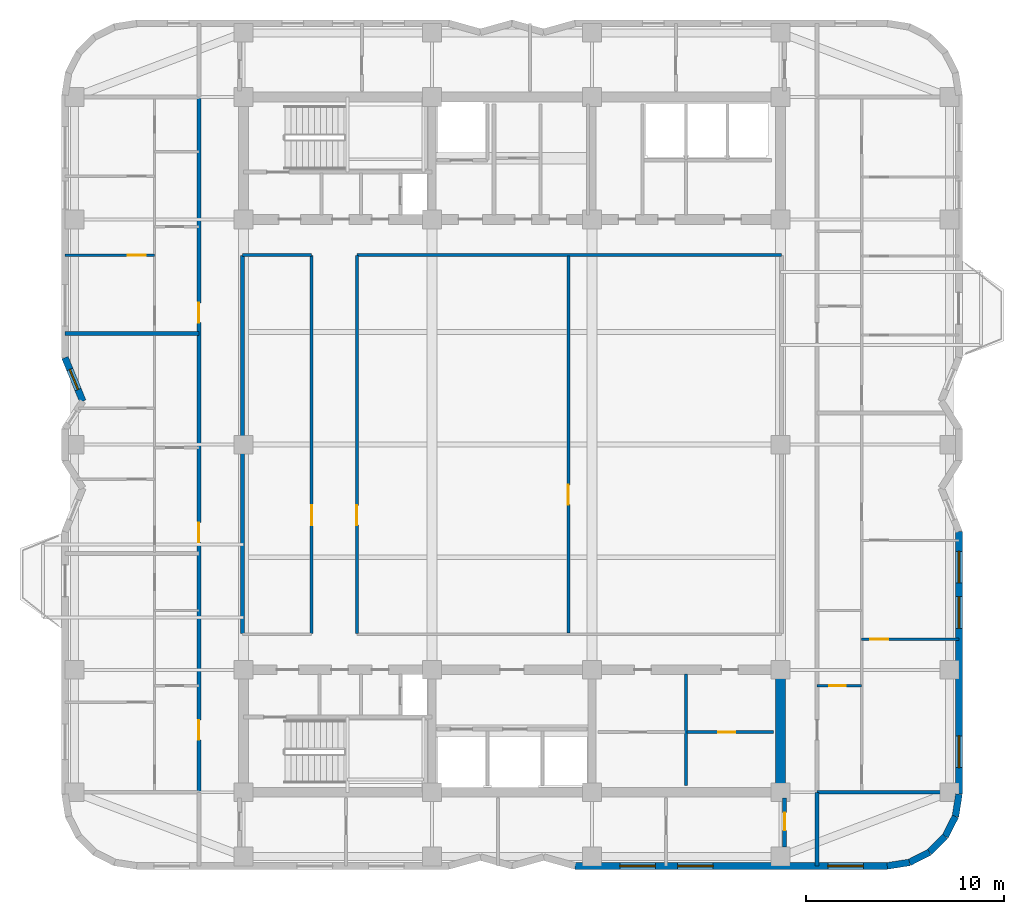
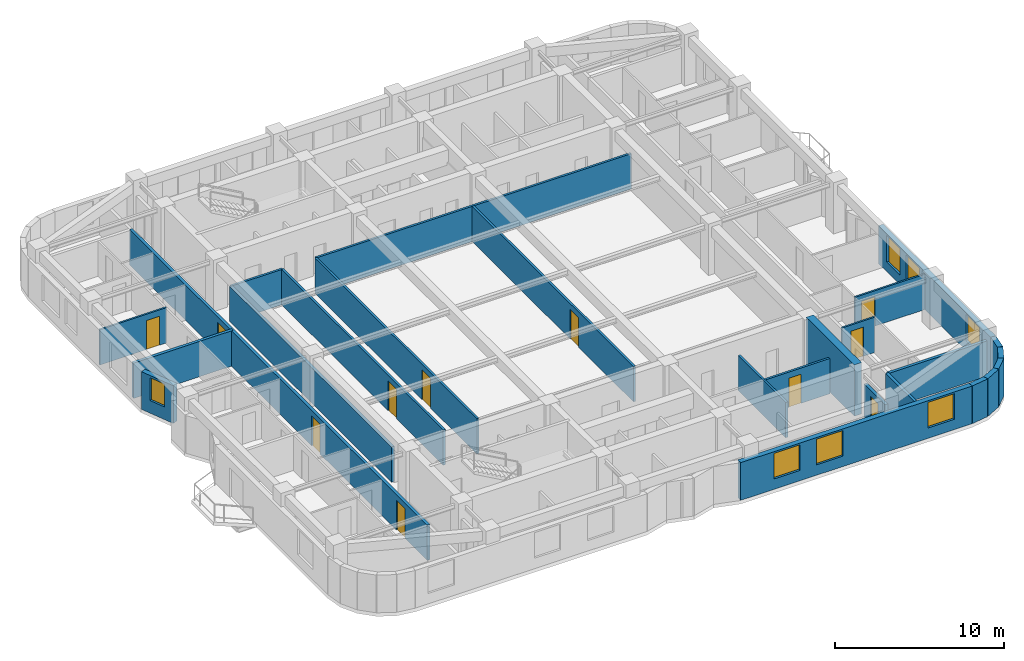
# One storey, part 4 of 9: 25 walls, 11 doors, 7 windows, 18 openings.
"""IFC4 building model written with IfcOpenShell, lengths in metres."""

import ifcopenshell
import ifcopenshell.guid

model = None  # the IFC model being written
_history = None  # IfcOwnerHistory: only IFC2X3 demands one
_inside = {}  # id of a spatial element -> (the spatial element, [elements in it])
_under = {}  # id of a project, library or spatial element -> (it, [spatial elements below it])
_declared = {}  # id of a project -> (the project, [libraries it declares])
_typed = {}  # id of a type object -> (the type object, [elements of that type])
_made_of = {}  # id of a material, layer set ... -> (it, [elements and type objects made of it])


def new_model(schema):
    """Start an empty IFC model of exactly this schema.

    Asked for "IFC4X3", IfcOpenShell would pick the latest addendum, in which some entities
    have other attributes; the version numbers below select the first issue.
    IFC2X3 requires an IfcOwnerHistory on every rooted entity: one is made here for all.
    """
    global model, _history
    if schema == "IFC4X3":
        model = ifcopenshell.file(schema_version=(4, 3, 0, 0))
    else:
        model = ifcopenshell.file(schema=schema)
    _inside.clear()
    _under.clear()
    _declared.clear()
    _typed.clear()
    _made_of.clear()
    _history = None
    if model.schema == "IFC2X3":
        org = make("IfcOrganization", Name="unknown")
        user = make(
            "IfcPersonAndOrganization",
            ThePerson=make("IfcPerson", FamilyName="unknown"),
            TheOrganization=org,
        )
        app = make(
            "IfcApplication",
            ApplicationDeveloper=org,
            Version="unknown",
            ApplicationFullName="unknown",
            ApplicationIdentifier="unknown",
        )
        _history = make(
            "IfcOwnerHistory",
            OwningUser=user,
            OwningApplication=app,
            ChangeAction="ADDED",
            CreationDate=0,
        )
    return model


def make(cls, **values):
    """One entity of the class cls with the attributes given. An attribute that is None is left unset."""
    return model.create_entity(
        cls, **{name: value for name, value in values.items() if value is not None}
    )


def rooted(cls, **values):
    """An entity with a GlobalId (a new one), such as an element, a storey or a relation."""
    return make(cls, GlobalId=ifcopenshell.guid.new(), OwnerHistory=_history, **values)


def si_unit(unit_type, name, prefix=None):
    """IfcSIUnit, for example si_unit("LENGTHUNIT", "METRE", prefix="MILLI")."""
    return make("IfcSIUnit", UnitType=unit_type, Prefix=prefix, Name=name)


def assignment(units):
    """IfcUnitAssignment: the units of a project."""
    return None if units is None else make("IfcUnitAssignment", Units=units)


def point(xyz):
    """IfcCartesianPoint."""
    return None if xyz is None else make("IfcCartesianPoint", Coordinates=xyz)


def direction(xyz):
    """IfcDirection."""
    return None if xyz is None else make("IfcDirection", DirectionRatios=xyz)


def frame(location, z_axis=None, x_axis=None):
    """IfcAxis2Placement3D, a coordinate frame: its origin and axes. An axis left out is left unset."""
    return make(
        "IfcAxis2Placement3D",
        Location=point(location),
        Axis=direction(z_axis),
        RefDirection=direction(x_axis),
    )


def frame_2d(location, x_axis=None):
    """IfcAxis2Placement2D, a coordinate frame in the plane: its origin and x axis."""
    return make(
        "IfcAxis2Placement2D", Location=point(location), RefDirection=direction(x_axis)
    )


def origin():
    """The frame at (0, 0, 0) with its axes left unset."""
    return frame((0.0, 0.0, 0.0))


def place(relative_to, where):
    """IfcLocalPlacement: puts the frame where relative to a parent placement (None: the world)."""
    return make(
        "IfcLocalPlacement", PlacementRelTo=relative_to, RelativePlacement=where
    )


def context(
    kind, dimensions, precision=None, world=None, true_north=None, identifier=None
):
    """IfcGeometricRepresentationContext, for example the 3D "Model" context."""
    return make(
        "IfcGeometricRepresentationContext",
        ContextIdentifier=identifier,
        ContextType=kind,
        CoordinateSpaceDimension=dimensions,
        Precision=precision,
        WorldCoordinateSystem=world,
        TrueNorth=true_north,
    )


def subcontext(parent, identifier, kind, view, scale=None):
    """IfcGeometricRepresentationSubContext, for example "Body" below "Model"."""
    return make(
        "IfcGeometricRepresentationSubContext",
        ContextIdentifier=identifier,
        ContextType=kind,
        ParentContext=parent,
        TargetScale=scale,
        TargetView=view,
    )


def project(units=None, contexts=None):
    """IfcProject with its units and contexts."""
    return rooted(
        "IfcProject",
        Name="project",
        RepresentationContexts=contexts,
        UnitsInContext=assignment(units),
    )


def spatial(cls, under=None, at=None, **own):
    """A site, building, storey or space (cls), placed at a placement, below another one or the project."""
    s = rooted(cls, ObjectPlacement=at, **own)
    if under is not None:
        _under.setdefault(under.id(), (under, []))[1].append(s)
    return s


def profile(cls, at=None, kind="AREA", **sizes):
    """A parametric profile (cls). Its sizes go by their IFC names, for example OverallWidth=200.0."""
    return make(cls, ProfileType=kind, Position=at, **sizes)


def rectangle(**sizes):
    """IfcRectangleProfileDef."""
    return profile("IfcRectangleProfileDef", **sizes)


def extrude(swept, where, along, depth):
    """IfcExtrudedAreaSolid: the profile swept, set in the frame where, extruded along a direction by depth."""
    return make(
        "IfcExtrudedAreaSolid",
        SweptArea=swept,
        Position=where,
        ExtrudedDirection=direction(along),
        Depth=depth,
    )


def shape(context_of_items, identifier, shape_type, items):
    """IfcShapeRepresentation: the items that make up one representation, for example the "Body"."""
    return make(
        "IfcShapeRepresentation",
        ContextOfItems=context_of_items,
        RepresentationIdentifier=identifier,
        RepresentationType=shape_type,
        Items=items,
    )


def material(Name=None, Category=None):
    """IfcMaterial."""
    return make("IfcMaterial", Name=Name, Category=Category)


def layer(
    of_material, thickness, ventilated=None, Name=None, Category=None, Priority=None
):
    """IfcMaterialLayer: one layer of a wall or slab, of a material (None: an air gap)."""
    return make(
        "IfcMaterialLayer",
        Material=of_material,
        LayerThickness=thickness,
        IsVentilated=ventilated,
        Name=Name,
        Category=Category,
        Priority=Priority,
    )


def layer_set(layers, Name=None):
    """IfcMaterialLayerSet."""
    return make("IfcMaterialLayerSet", MaterialLayers=layers, LayerSetName=Name)


def made_of(thing, what):
    """Note that an element or type object is made of a material, layer set ...; save() writes the relation."""
    if what is not None:
        _made_of.setdefault(what.id(), (what, []))[1].append(thing)
    return thing


def type_object(cls, material=None, **own):
    """A type object (cls), such as IfcWallType, which elements share."""
    return made_of(rooted(cls, **own), material)


def element(
    cls,
    number,
    at=None,
    inside=None,
    cuts=None,
    type_object=None,
    material=None,
    context=None,
    identifier="Body",
    shape_type=None,
    held_by="IfcProductDefinitionShape",
    body=None,
    shapes=None,
    **own,
):
    """One element of the class cls, such as IfcWall. Its Tag is "e" and its number.

    at: its placement. inside: the storey or other place that contains it. cuts: it is an
    opening in that element (IfcRelVoidsElement). A single representation is given by context,
    identifier, shape_type and body (its items); several are given by shapes. held_by: the class
    of the entity that holds the representations. save() writes the other relations.
    """
    e = rooted(cls, Tag="e%d" % number, ObjectPlacement=at, **own)
    if body is not None:
        shapes = [shape(context, identifier, shape_type, body)]
    if shapes is not None:
        e.Representation = make(held_by, Representations=shapes)
    if inside is not None:
        _inside.setdefault(inside.id(), (inside, []))[1].append(e)
    if cuts is not None:
        rooted(
            "IfcRelVoidsElement", RelatingBuildingElement=cuts, RelatedOpeningElement=e
        )
    if type_object is not None:
        _typed.setdefault(type_object.id(), (type_object, []))[1].append(e)
    return made_of(e, material)


def fill(opening, filler):
    """IfcRelFillsElement: the door or window that sits in an opening."""
    return rooted(
        "IfcRelFillsElement",
        RelatingOpeningElement=opening,
        RelatedBuildingElement=filler,
    )


def aggregate(whole, parts):
    """IfcRelAggregates: a whole, such as a stair, and the parts it consists of."""
    return rooted("IfcRelAggregates", RelatingObject=whole, RelatedObjects=parts)


def save(model, path):
    """Write the relations noted so far, then the file.

    IfcRelAggregates (storeys below a building ...), IfcRelContainedInSpatialStructure (elements
    in a storey), IfcRelDefinesByType, IfcRelAssociatesMaterial and IfcRelDeclares: one each for
    every whole, place, type object, material and project.
    """
    for whole, parts in _under.values():
        aggregate(whole, parts)
    for where, things in _inside.values():
        rooted(
            "IfcRelContainedInSpatialStructure",
            RelatedElements=things,
            RelatingStructure=where,
        )
    for kind, things in _typed.values():
        rooted("IfcRelDefinesByType", RelatedObjects=things, RelatingType=kind)
    for what, things in _made_of.values():
        rooted("IfcRelAssociatesMaterial", RelatedObjects=things, RelatingMaterial=what)
    for by, libraries in _declared.values():
        rooted("IfcRelDeclares", RelatingContext=by, RelatedDefinitions=libraries)
    model.write(path)


model = new_model("IFC4")

# Units and contexts
model_context = context("Model", 3, precision=1e-05, world=origin(), true_north=direction((0.0, 1.0)))
body_context = subcontext(model_context, "Body", "Model", "MODEL_VIEW")
ifc_project = project(units=[si_unit("LENGTHUNIT", "METRE"), si_unit("AREAUNIT", "SQUARE_METRE"), si_unit("VOLUMEUNIT", "CUBIC_METRE"), si_unit("PLANEANGLEUNIT", "RADIAN"), si_unit("MASSUNIT", "GRAM", prefix="KILO")], contexts=[model_context])

# Site, building, storey
site_placement = place(None, origin())
site = spatial("IfcSite", under=ifc_project, at=site_placement, CompositionType="ELEMENT")
building_placement = place(site_placement, origin())
building = spatial("IfcBuilding", under=site, at=building_placement, Name="Svetorya Sky Lyceum", CompositionType="ELEMENT")
storey_placement = place(building_placement, frame((0.0, 0.0, 162.60009765625)))
storey = spatial("IfcBuildingStorey", under=building, at=storey_placement, Name="L40", CompositionType="ELEMENT", Elevation=162.60009765625)

# Wall
ifc_material_1 = material(Name="Concrete C50/60", Category="concrete")
ifc_layer_1 = layer(ifc_material_1, 0.5)
ifc_layer_set_1 = layer_set([ifc_layer_1], Name="Concrete C50/60")
wall_type_1 = type_object("IfcWallType", Name="WL-CORE-500", PredefinedType="SHEAR", material=ifc_layer_set_1)
wall_1_placement = place(storey_placement, frame((52.800048828125, 10.85009765625, 0.0), z_axis=(0.0, 0.0, 1.0), x_axis=(0.0, 1.0, 0.0)))
element("IfcWall", 1, at=wall_1_placement, inside=storey, type_object=wall_type_1, Name="L40 SC East Core Shear Wall", PredefinedType="SHEAR", context=body_context, shape_type="SweptSolid", body=[
    extrude(rectangle(XDim=5.699951171875, YDim=0.5, at=frame_2d((2.85009765625, 0.0))), origin(), (0.0, 0.0, 1.0), 3.699951171875),
])

# Wall, openings, windows
ifc_material_2 = material(Name="Putilovo limestone rainscreen on autoclaved cellular masonry", Category="masonry")
ifc_layer_2 = layer(ifc_material_2, 0.340087890625)
ifc_layer_set_2 = layer_set([ifc_layer_2], Name="Putilovo limestone rainscreen on autoclaved cellular masonry")
wall_type_2 = type_object("IfcWallType", Name="WL-EXT-340", PredefinedType="SOLIDWALL", material=ifc_layer_set_2)
wall_2_placement = place(storey_placement, frame((42.39990234375, 6.8701171875, 0.0), z_axis=(0.0, 0.0, 1.0), x_axis=(1.0, 0.0, 0.0)))
wall_2 = element("IfcWall", 2, at=wall_2_placement, inside=storey, type_object=wall_type_2, Name="L40 Limestone Exterior Wall 11M", PredefinedType="SOLIDWALL", context=body_context, shape_type="SweptSolid", body=[
    extrude(rectangle(XDim=15.800048828125, YDim=0.340087890625, at=frame_2d((7.89990234375, 0.0))), origin(), (0.0, 0.0, 1.0), 2.719970703125),
])
opening_1_placement = place(wall_2_placement, frame((2.262451171875, 0.0, 0.75)))
opening_1 = element("IfcOpeningElement", 3, at=opening_1_placement, cuts=wall_2, Name="Opening W-R1", PredefinedType="OPENING", context=body_context, shape_type="SweptSolid", body=[
    extrude(rectangle(XDim=1.800048828125, YDim=1.85009765625, at=frame_2d((0.89990234375, 0.925048828125))), frame((0.0, 0.179931640625, 0.0), z_axis=(0.0, -1.0, 0.0), x_axis=(1.0, 0.0, 0.0)), (0.0, 0.0, 1.0), 0.360107421875),
])
opening_2_placement = place(wall_2_placement, frame((5.1875, 0.0, 0.75)))
opening_2 = element("IfcOpeningElement", 4, at=opening_2_placement, cuts=wall_2, Name="Opening W-R1", PredefinedType="OPENING", context=body_context, shape_type="SweptSolid", body=[
    extrude(rectangle(XDim=1.800048828125, YDim=1.85009765625, at=frame_2d((0.89990234375, 0.925048828125))), frame((0.0, 0.179931640625, 0.0), z_axis=(0.0, -1.0, 0.0), x_axis=(1.0, 0.0, 0.0)), (0.0, 0.0, 1.0), 0.360107421875),
])
opening_3_placement = place(wall_2_placement, frame((12.78759765625, 0.0, 0.75)))
opening_3 = element("IfcOpeningElement", 5, at=opening_3_placement, cuts=wall_2, Name="Opening W-R1", PredefinedType="OPENING", context=body_context, shape_type="SweptSolid", body=[
    extrude(rectangle(XDim=1.800048828125, YDim=1.85009765625, at=frame_2d((0.89990234375, 0.925048828125))), frame((0.0, 0.179931640625, 0.0), z_axis=(0.0, -1.0, 0.0), x_axis=(1.0, 0.0, 0.0)), (0.0, 0.0, 1.0), 0.360107421875),
])
ifc_material_3 = material(Name="Thermally broken aluminium frame with triple low-E glazing", Category="aluminium")
window_type_1 = type_object("IfcWindowType", Name="WN-RES-180", PartitioningType="DOUBLE_PANEL_VERTICAL", PredefinedType="WINDOW", material=ifc_material_3)
window_1_placement = place(opening_1_placement, origin())
window_1 = element("IfcWindow", 6, at=window_1_placement, inside=storey, type_object=window_type_1, Name="L40 Facade Window W-R1.11M.1", OverallHeight=1.85009765625, OverallWidth=1.800048828125, PartitioningType="SINGLE_PANEL", PredefinedType="WINDOW", context=body_context, shape_type="SweptSolid", body=[
    extrude(rectangle(XDim=1.800048828125, YDim=1.85009765625, at=frame_2d((0.89990234375, 0.925048828125))), frame((0.0, 0.030029296875, 0.0), z_axis=(0.0, -1.0, 0.0), x_axis=(1.0, 0.0, 0.0)), (0.0, 0.0, 1.0), 0.06005859375),
])
fill(opening_1, window_1)
window_2_placement = place(opening_2_placement, origin())
window_2 = element("IfcWindow", 7, at=window_2_placement, inside=storey, type_object=window_type_1, Name="L40 Facade Window W-R1.11M.2", OverallHeight=1.85009765625, OverallWidth=1.800048828125, PartitioningType="SINGLE_PANEL", PredefinedType="WINDOW", context=body_context, shape_type="SweptSolid", body=[
    extrude(rectangle(XDim=1.800048828125, YDim=1.85009765625, at=frame_2d((0.89990234375, 0.925048828125))), frame((0.0, 0.030029296875, 0.0), z_axis=(0.0, -1.0, 0.0), x_axis=(1.0, 0.0, 0.0)), (0.0, 0.0, 1.0), 0.06005859375),
])
fill(opening_2, window_2)
window_3_placement = place(opening_3_placement, origin())
window_3 = element("IfcWindow", 8, at=window_3_placement, inside=storey, type_object=window_type_1, Name="L40 Facade Window W-R1.11M.3", OverallHeight=1.85009765625, OverallWidth=1.800048828125, PartitioningType="SINGLE_PANEL", PredefinedType="WINDOW", context=body_context, shape_type="SweptSolid", body=[
    extrude(rectangle(XDim=1.800048828125, YDim=1.85009765625, at=frame_2d((0.89990234375, 0.925048828125))), frame((0.0, 0.030029296875, 0.0), z_axis=(0.0, -1.0, 0.0), x_axis=(1.0, 0.0, 0.0)), (0.0, 0.0, 1.0), 0.06005859375),
])
fill(opening_3, window_3)

# Walls
for number, where, z_axis, x_axis, name in (
    (9, (58.199951171875, 6.8701171875, 0.0), (0.0, 0.0, 1.0), (0.987714116584, 0.156271634985, 0.0), "L40 Limestone Exterior Wall 12M"),
    (10, (59.32177734375, 7.047607421875, 0.0), (0.0, 0.0, 1.0), (0.891005044957, 0.453993402883, 0.0), "L40 Limestone Exterior Wall 13M"),
):
    element("IfcWall", number, at=place(storey_placement, frame(where, z_axis=z_axis, x_axis=x_axis)), inside=storey, type_object=wall_type_2, Name=name, PredefinedType="SOLIDWALL", context=body_context, shape_type="SweptSolid", body=[
        extrude(rectangle(XDim=1.1357421875, YDim=0.340087890625, at=frame_2d((0.56787109375, 0.0))), origin(), (0.0, 0.0, 1.0), 2.719970703125),
    ])
wall_3_placement = place(storey_placement, frame((60.333740234375, 7.563232421875, 0.0), z_axis=(0.0, 0.0, 1.0), x_axis=(0.707106781187, 0.707106781187, 0.0)))
element("IfcWall", 11, at=wall_3_placement, inside=storey, type_object=wall_type_2, Name="L40 Limestone Exterior Wall 14M", PredefinedType="SOLIDWALL", context=body_context, shape_type="SweptSolid", body=[
    extrude(rectangle(XDim=1.135498046875, YDim=0.340087890625, at=frame_2d((0.56787109375, 0.0))), origin(), (0.0, 0.0, 1.0), 2.719970703125),
])
wall_4_placement = place(storey_placement, frame((61.13671875, 8.3662109375, 0.0), z_axis=(0.0, 0.0, 1.0), x_axis=(0.45390646422, 0.891049337433, 0.0)))
element("IfcWall", 12, at=wall_4_placement, inside=storey, type_object=wall_type_2, Name="L40 Limestone Exterior Wall 15M", PredefinedType="SOLIDWALL", context=body_context, shape_type="SweptSolid", body=[
    extrude(rectangle(XDim=1.135986328125, YDim=0.340087890625, at=frame_2d((0.56787109375, 0.0))), origin(), (0.0, 0.0, 1.0), 2.719970703125),
])
wall_5_placement = place(storey_placement, frame((61.65234375, 9.37841796875, 0.0), z_axis=(0.0, 0.0, 1.0), x_axis=(0.156514556949, 0.987675651954, 0.0)))
element("IfcWall", 13, at=wall_5_placement, inside=storey, type_object=wall_type_2, Name="L40 Limestone Exterior Wall 16M", PredefinedType="SOLIDWALL", context=body_context, shape_type="SweptSolid", body=[
    extrude(rectangle(XDim=1.135498046875, YDim=0.340087890625, at=frame_2d((0.56787109375, 0.0))), origin(), (0.0, 0.0, 1.0), 2.719970703125),
])

# Wall, openings, windows
wall_6_placement = place(storey_placement, frame((61.830078125, 10.5, 0.0), z_axis=(0.0, 0.0, 1.0), x_axis=(0.0, 1.0, 0.0)))
wall_6 = element("IfcWall", 14, at=wall_6_placement, inside=storey, type_object=wall_type_2, Name="L40 Limestone Exterior Wall 17M", PredefinedType="SOLIDWALL", context=body_context, shape_type="SweptSolid", body=[
    extrude(rectangle(XDim=13.300048828125, YDim=0.340087890625, at=frame_2d((6.64990234375, 0.0))), origin(), (0.0, 0.0, 1.0), 2.719970703125),
])
opening_4_placement = place(wall_6_placement, frame((1.35009765625, 0.0, 0.699951171875)))
opening_4 = element("IfcOpeningElement", 15, at=opening_4_placement, cuts=wall_6, Name="Opening W-R4", PredefinedType="OPENING", context=body_context, shape_type="SweptSolid", body=[
    extrude(rectangle(XDim=1.60009765625, YDim=1.89990234375, at=frame_2d((0.800048828125, 0.949951171875))), frame((0.0, 0.179931640625, 0.0), z_axis=(0.0, -1.0, 0.0), x_axis=(1.0, 0.0, 0.0)), (0.0, 0.0, 1.0), 0.360107421875),
])
opening_5_placement = place(wall_6_placement, frame((8.39990234375, 0.0, 0.699951171875)))
opening_5 = element("IfcOpeningElement", 16, at=opening_5_placement, cuts=wall_6, Name="Opening W-R4", PredefinedType="OPENING", context=body_context, shape_type="SweptSolid", body=[
    extrude(rectangle(XDim=1.60009765625, YDim=1.89990234375, at=frame_2d((0.800048828125, 0.949951171875))), frame((0.0, 0.179931640625, 0.0), z_axis=(0.0, -1.0, 0.0), x_axis=(1.0, 0.0, 0.0)), (0.0, 0.0, 1.0), 0.360107421875),
])
opening_6_placement = place(wall_6_placement, frame((10.699951171875, 0.0, 0.699951171875)))
opening_6 = element("IfcOpeningElement", 17, at=opening_6_placement, cuts=wall_6, Name="Opening W-R4", PredefinedType="OPENING", context=body_context, shape_type="SweptSolid", body=[
    extrude(rectangle(XDim=1.60009765625, YDim=1.89990234375, at=frame_2d((0.800048828125, 0.949951171875))), frame((0.0, 0.179931640625, 0.0), z_axis=(0.0, -1.0, 0.0), x_axis=(1.0, 0.0, 0.0)), (0.0, 0.0, 1.0), 0.360107421875),
])
window_type_2 = type_object("IfcWindowType", Name="WN-RES-160", PartitioningType="DOUBLE_PANEL_VERTICAL", PredefinedType="WINDOW", material=ifc_material_3)
window_4_placement = place(opening_4_placement, origin())
window_4 = element("IfcWindow", 18, at=window_4_placement, inside=storey, type_object=window_type_2, Name="L40 Facade Window W-R4.17M.1", OverallHeight=1.89990234375, OverallWidth=1.60009765625, PartitioningType="SINGLE_PANEL", PredefinedType="WINDOW", context=body_context, shape_type="SweptSolid", body=[
    extrude(rectangle(XDim=1.60009765625, YDim=1.89990234375, at=frame_2d((0.800048828125, 0.949951171875))), frame((0.0, 0.030029296875, 0.0), z_axis=(0.0, -1.0, 0.0), x_axis=(1.0, 0.0, 0.0)), (0.0, 0.0, 1.0), 0.06005859375),
])
fill(opening_4, window_4)
window_5_placement = place(opening_5_placement, origin())
window_5 = element("IfcWindow", 19, at=window_5_placement, inside=storey, type_object=window_type_2, Name="L40 Facade Window W-R4.17M.2", OverallHeight=1.89990234375, OverallWidth=1.60009765625, PartitioningType="SINGLE_PANEL", PredefinedType="WINDOW", context=body_context, shape_type="SweptSolid", body=[
    extrude(rectangle(XDim=1.60009765625, YDim=1.89990234375, at=frame_2d((0.800048828125, 0.949951171875))), frame((0.0, 0.030029296875, 0.0), z_axis=(0.0, -1.0, 0.0), x_axis=(1.0, 0.0, 0.0)), (0.0, 0.0, 1.0), 0.06005859375),
])
fill(opening_5, window_5)
window_6_placement = place(opening_6_placement, origin())
window_6 = element("IfcWindow", 20, at=window_6_placement, inside=storey, type_object=window_type_2, Name="L40 Facade Window W-R4.17M.3", OverallHeight=1.89990234375, OverallWidth=1.60009765625, PartitioningType="SINGLE_PANEL", PredefinedType="WINDOW", context=body_context, shape_type="SweptSolid", body=[
    extrude(rectangle(XDim=1.60009765625, YDim=1.89990234375, at=frame_2d((0.800048828125, 0.949951171875))), frame((0.0, 0.030029296875, 0.0), z_axis=(0.0, -1.0, 0.0), x_axis=(1.0, 0.0, 0.0)), (0.0, 0.0, 1.0), 0.06005859375),
])
fill(opening_6, window_6)

# Wall, opening, window
wall_7_placement = place(storey_placement, frame((16.570068359375, 32.60009765625, 0.0), z_axis=(0.0, 0.0, 1.0), x_axis=(0.378568858991, -0.925573130013, 0.0)))
wall_7 = element("IfcWall", 21, at=wall_7_placement, inside=storey, type_object=wall_type_2, Name="L40 Limestone Exterior Wall 41M", PredefinedType="SOLIDWALL", context=body_context, shape_type="SweptSolid", body=[
    extrude(rectangle(XDim=2.377197265625, YDim=0.340087890625, at=frame_2d((1.1884765625, 0.0))), origin(), (0.0, 0.0, 1.0), 2.719970703125),
])
opening_7_placement = place(wall_7_placement, frame((0.638427734375, 0.0, 0.909912109375)))
opening_7 = element("IfcOpeningElement", 22, at=opening_7_placement, cuts=wall_7, Name="Opening W-R3", PredefinedType="OPENING", context=body_context, shape_type="SweptSolid", body=[
    extrude(rectangle(XDim=1.10009765625, YDim=1.64990234375, at=frame_2d((0.550048828125, 0.824951171875))), frame((0.0, 0.179931640625, 0.0), z_axis=(0.0, -1.0, 0.0), x_axis=(1.0, 0.0, 0.0)), (0.0, 0.0, 1.0), 0.360107421875),
])
window_type_3 = type_object("IfcWindowType", Name="WN-RES-110", PartitioningType="SINGLE_PANEL", PredefinedType="WINDOW", material=ifc_material_3)
window_7_placement = place(opening_7_placement, origin())
window_7 = element("IfcWindow", 23, at=window_7_placement, inside=storey, type_object=window_type_3, Name="L40 Facade Window W-R3.41M.1", OverallHeight=1.64990234375, OverallWidth=1.10009765625, PartitioningType="SINGLE_PANEL", PredefinedType="WINDOW", context=body_context, shape_type="SweptSolid", body=[
    extrude(rectangle(XDim=1.10009765625, YDim=1.64990234375, at=frame_2d((0.550048828125, 0.824951171875))), frame((0.0, 0.030029296875, 0.0), z_axis=(0.0, -1.0, 0.0), x_axis=(1.0, 0.0, 0.0)), (0.0, 0.0, 1.0), 0.06005859375),
])
fill(opening_7, window_7)

# Wall, opening, door
ifc_material_4 = material(Name="Twin-stud galvanized framing with double fireboard", Category="gypsum")
ifc_layer_3 = layer(ifc_material_4, 0.1201171875)
ifc_layer_set_3 = layer_set([ifc_layer_3], Name="Twin-stud galvanized framing with double fireboard")
wall_type_3 = type_object("IfcWallType", Name="WL-PART-120", PredefinedType="PARTITIONING", material=ifc_layer_set_3)
wall_8_placement = place(storey_placement, frame((16.570068359375, 37.781982421875, 0.0), z_axis=(0.0, 0.0, 1.0), x_axis=(1.0, 0.0, 0.0)))
wall_8 = element("IfcWall", 24, at=wall_8_placement, inside=storey, type_object=wall_type_3, Name="L40 Interior Partition W3-WL1", PredefinedType="PARTITIONING", context=body_context, shape_type="SweptSolid", body=[
    extrude(rectangle(XDim=4.530029296875, YDim=0.1201171875, at=frame_2d((2.26513671875, 0.0))), origin(), (0.0, 0.0, 1.0), 2.5498046875),
])
opening_8_placement = place(wall_8_placement, frame((3.179931640625, 0.0, 0.0)))
opening_8 = element("IfcOpeningElement", 25, at=opening_8_placement, cuts=wall_8, Name="Opening D-RM1", PredefinedType="OPENING", context=body_context, shape_type="SweptSolid", body=[
    extrude(rectangle(XDim=0.89990234375, YDim=2.10009765625, at=frame_2d((0.449951171875, 1.050048828125))), frame((0.0, 0.070068359375, 0.0), z_axis=(0.0, -1.0, 0.0), x_axis=(1.0, 0.0, 0.0)), (0.0, 0.0, 1.0), 0.14013671875),
])
ifc_material_5 = material(Name="Lacquered birch veneer internal door")
door_type_1 = type_object("IfcDoorType", Name="DR-INT-900", OperationType="SINGLE_SWING_LEFT", PredefinedType="DOOR", material=ifc_material_5)
door_1_placement = place(opening_8_placement, origin())
door_1 = element("IfcDoor", 26, at=door_1_placement, inside=storey, type_object=door_type_1, Name="Apartment W3 Master Bedroom Door", OperationType="SINGLE_SWING_LEFT", OverallHeight=2.10009765625, OverallWidth=0.89990234375, PredefinedType="DOOR", context=body_context, shape_type="SweptSolid", body=[
    extrude(rectangle(XDim=0.89990234375, YDim=2.10009765625, at=frame_2d((0.449951171875, 1.050048828125))), frame((0.0, 0.02490234375, 0.0), z_axis=(0.0, -1.0, 0.0), x_axis=(1.0, 0.0, 0.0)), (0.0, 0.0, 1.0), 0.050048828125),
])
fill(opening_8, door_1)

wall_9_placement = place(storey_placement, frame((54.64990234375, 16.0, 0.0), z_axis=(0.0, 0.0, 1.0), x_axis=(1.0, 0.0, 0.0)))
wall_9 = element("IfcWall", 27, at=wall_9_placement, inside=storey, type_object=wall_type_3, Name="L40 Interior Partition E1-WH1", PredefinedType="PARTITIONING", context=body_context, shape_type="SweptSolid", body=[
    extrude(rectangle(XDim=2.25, YDim=0.1201171875, at=frame_2d((1.125, 0.0))), origin(), (0.0, 0.0, 1.0), 2.5498046875),
])
opening_9_placement = place(wall_9_placement, frame((0.60009765625, 0.0, 0.0)))
opening_9 = element("IfcOpeningElement", 28, at=opening_9_placement, cuts=wall_9, Name="Opening D-BT1", PredefinedType="OPENING", context=body_context, shape_type="SweptSolid", body=[
    extrude(rectangle(XDim=0.85009765625, YDim=2.10009765625, at=frame_2d((0.425048828125, 1.050048828125))), frame((0.0, 0.070068359375, 0.0), z_axis=(0.0, -1.0, 0.0), x_axis=(1.0, 0.0, 0.0)), (0.0, 0.0, 1.0), 0.14013671875),
])
ifc_material_6 = material(Name="Moisture-resistant laminate bathroom door")
door_type_2 = type_object("IfcDoorType", Name="DR-WET-850", OperationType="SINGLE_SWING_LEFT", PredefinedType="DOOR", material=ifc_material_6)
door_2_placement = place(opening_9_placement, origin())
door_2 = element("IfcDoor", 29, at=door_2_placement, inside=storey, type_object=door_type_2, Name="Apartment E1 Bathroom Door", OperationType="SINGLE_SWING_RIGHT", OverallHeight=2.10009765625, OverallWidth=0.85009765625, PredefinedType="DOOR", context=body_context, shape_type="SweptSolid", body=[
    extrude(rectangle(XDim=0.85009765625, YDim=2.10009765625, at=frame_2d((0.425048828125, 1.050048828125))), frame((0.0, 0.02490234375, 0.0), z_axis=(0.0, -1.0, 0.0), x_axis=(1.0, 0.0, 0.0)), (0.0, 0.0, 1.0), 0.050048828125),
])
fill(opening_9, door_2)

wall_10_placement = place(storey_placement, frame((56.89990234375, 18.35009765625, 0.0), z_axis=(0.0, 0.0, 1.0), x_axis=(1.0, 0.0, 0.0)))
wall_10 = element("IfcWall", 30, at=wall_10_placement, inside=storey, type_object=wall_type_3, Name="L40 Interior Partition E1-WL1", PredefinedType="PARTITIONING", context=body_context, shape_type="SweptSolid", body=[
    extrude(rectangle(XDim=4.93017578125, YDim=0.1201171875, at=frame_2d((2.465087890625, 0.0))), origin(), (0.0, 0.0, 1.0), 2.5498046875),
])
opening_10_placement = place(wall_10_placement, frame((0.449951171875, 0.0, 0.0)))
opening_10 = element("IfcOpeningElement", 31, at=opening_10_placement, cuts=wall_10, Name="Opening D-RM1", PredefinedType="OPENING", context=body_context, shape_type="SweptSolid", body=[
    extrude(rectangle(XDim=0.89990234375, YDim=2.10009765625, at=frame_2d((0.449951171875, 1.050048828125))), frame((0.0, 0.070068359375, 0.0), z_axis=(0.0, -1.0, 0.0), x_axis=(1.0, 0.0, 0.0)), (0.0, 0.0, 1.0), 0.14013671875),
])
door_3_placement = place(opening_10_placement, origin())
door_3 = element("IfcDoor", 32, at=door_3_placement, inside=storey, type_object=door_type_1, Name="Apartment E1 Master Bedroom Door", OperationType="SINGLE_SWING_RIGHT", OverallHeight=2.10009765625, OverallWidth=0.89990234375, PredefinedType="DOOR", context=body_context, shape_type="SweptSolid", body=[
    extrude(rectangle(XDim=0.89990234375, YDim=2.10009765625, at=frame_2d((0.449951171875, 1.050048828125))), frame((0.0, 0.02490234375, 0.0), z_axis=(0.0, -1.0, 0.0), x_axis=(1.0, 0.0, 0.0)), (0.0, 0.0, 1.0), 0.050048828125),
])
fill(opening_10, door_3)

# Wall
ifc_material_7 = material(Name="Autoclaved cellular masonry blockwork with acoustic render", Category="masonry")
ifc_layer_4 = layer(ifc_material_7, 0.14990234375)
ifc_layer_set_4 = layer_set([ifc_layer_4], Name="Autoclaved cellular masonry blockwork with acoustic render")
wall_type_4 = type_object("IfcWallType", Name="WL-PART-150", PredefinedType="PARTITIONING", material=ifc_layer_set_4)
wall_11_placement = place(storey_placement, frame((48.0, 10.949951171875, 0.0), z_axis=(0.0, 0.0, 1.0), x_axis=(0.0, 1.0, 0.0)))
element("IfcWall", 33, at=wall_11_placement, inside=storey, type_object=wall_type_4, Name="L40 Interior Partition SC-LV7-V", PredefinedType="PARTITIONING", context=body_context, shape_type="SweptSolid", body=[
    extrude(rectangle(XDim=5.630126953125, YDim=0.14990234375, at=frame_2d((2.81494140625, 0.0))), origin(), (0.0, 0.0, 1.0), 2.5498046875),
])

# Wall, opening, door
wall_12_placement = place(storey_placement, frame((48.050048828125, 13.64990234375, 0.0), z_axis=(0.0, 0.0, 1.0), x_axis=(1.0, 0.0, 0.0)))
wall_12 = element("IfcWall", 34, at=wall_12_placement, inside=storey, type_object=wall_type_4, Name="L40 Interior Partition SC-LV7-HE", PredefinedType="PARTITIONING", context=body_context, shape_type="SweptSolid", body=[
    extrude(rectangle(XDim=4.39990234375, YDim=0.14990234375, at=frame_2d((2.199951171875, 0.0))), origin(), (0.0, 0.0, 1.0), 2.5498046875),
])
opening_11_placement = place(wall_12_placement, frame((1.60009765625, 0.0, 0.0)))
opening_11 = element("IfcOpeningElement", 35, at=opening_11_placement, cuts=wall_12, Name="Opening D-CWC1", PredefinedType="OPENING", context=body_context, shape_type="SweptSolid", body=[
    extrude(rectangle(XDim=0.85009765625, YDim=2.10009765625, at=frame_2d((0.425048828125, 1.050048828125))), frame((0.0, 0.0849609375, 0.0), z_axis=(0.0, -1.0, 0.0), x_axis=(1.0, 0.0, 0.0)), (0.0, 0.0, 1.0), 0.169921875),
])
ifc_material_8 = material(Name="Fire-rated galvanized steel core service closet door", Category="steel")
door_type_3 = type_object("IfcDoorType", Name="DR-CWET-850", OperationType="SINGLE_SWING_LEFT", PredefinedType="DOOR", material=ifc_material_8)
door_4_placement = place(opening_11_placement, origin())
door_4 = element("IfcDoor", 36, at=door_4_placement, inside=storey, type_object=door_type_3, Name="L40 South Server Closet Door", OperationType="SINGLE_SWING_RIGHT", OverallHeight=2.10009765625, OverallWidth=0.85009765625, PredefinedType="DOOR", context=body_context, shape_type="SweptSolid", body=[
    extrude(rectangle(XDim=0.85009765625, YDim=2.10009765625, at=frame_2d((0.425048828125, 1.050048828125))), frame((0.0, 0.02490234375, 0.0), z_axis=(0.0, -1.0, 0.0), x_axis=(1.0, 0.0, 0.0)), (0.0, 0.0, 1.0), 0.050048828125),
])
fill(opening_11, door_4)

# Walls
wall_13_placement = place(storey_placement, frame((25.550048828125, 37.800048828125, 0.0), z_axis=(0.0, 0.0, 1.0), x_axis=(1.0, 0.0, 0.0)))
element("IfcWall", 37, at=wall_13_placement, inside=storey, type_object=wall_type_4, Name="L40 Interior Partition OFF-CN-W", PredefinedType="PARTITIONING", context=body_context, shape_type="SweptSolid", body=[
    extrude(rectangle(XDim=3.5, YDim=0.14990234375, at=frame_2d((1.75, 0.0))), origin(), (0.0, 0.0, 1.0), 2.5498046875),
])
wall_14_placement = place(storey_placement, frame((31.35009765625, 37.800048828125, 0.0), z_axis=(0.0, 0.0, 1.0), x_axis=(1.0, 0.0, 0.0)))
element("IfcWall", 38, at=wall_14_placement, inside=storey, type_object=wall_type_4, Name="L40 Interior Partition OFF-CN-E", PredefinedType="PARTITIONING", context=body_context, shape_type="SweptSolid", body=[
    extrude(rectangle(XDim=21.5, YDim=0.14990234375, at=frame_2d((10.75, 0.0))), origin(), (0.0, 0.0, 1.0), 2.5498046875),
])

# Wall, opening, door
wall_15_placement = place(storey_placement, frame((42.06005859375, 18.659912109375, 0.0), z_axis=(0.0, 0.0, 1.0), x_axis=(0.0, 1.0, 0.0)))
wall_15 = element("IfcWall", 39, at=wall_15_placement, inside=storey, type_object=wall_type_4, Name="L40 Interior Partition OFF-VEMID", PredefinedType="PARTITIONING", context=body_context, shape_type="SweptSolid", body=[
    extrude(rectangle(XDim=19.080078125, YDim=0.14990234375, at=frame_2d((9.5400390625, 0.0))), origin(), (0.0, 0.0, 1.0), 2.5498046875),
])
opening_12_placement = place(wall_15_placement, frame((6.5, 0.0, 0.0)))
opening_12 = element("IfcOpeningElement", 40, at=opening_12_placement, cuts=wall_15, Name="Opening D-RM2", PredefinedType="OPENING", context=body_context, shape_type="SweptSolid", body=[
    extrude(rectangle(XDim=1.0, YDim=2.14990234375, at=frame_2d((0.5, 1.074951171875))), frame((0.0, 0.0849609375, 0.0), z_axis=(0.0, -1.0, 0.0), x_axis=(1.0, 0.0, 0.0)), (0.0, 0.0, 1.0), 0.169921875),
])
ifc_material_9 = material(Name="Solid-core oak acoustic room door")
door_type_4 = type_object("IfcDoorType", Name="DR-INT-1000", OperationType="SINGLE_SWING_LEFT", PredefinedType="DOOR", material=ifc_material_9)
door_5_placement = place(opening_12_placement, origin())
door_5 = element("IfcDoor", 41, at=door_5_placement, inside=storey, type_object=door_type_4, Name="L40 Recreation Door", OperationType="SINGLE_SWING_LEFT", OverallHeight=2.14990234375, OverallWidth=1.0, PredefinedType="DOOR", context=body_context, shape_type="SweptSolid", body=[
    extrude(rectangle(XDim=1.0, YDim=2.14990234375, at=frame_2d((0.5, 1.074951171875))), frame((0.0, 0.02490234375, 0.0), z_axis=(0.0, -1.0, 0.0), x_axis=(1.0, 0.0, 0.0)), (0.0, 0.0, 1.0), 0.050048828125),
])
fill(opening_12, door_5)

wall_16_placement = place(storey_placement, frame((29.050048828125, 18.6298828125, 0.0), z_axis=(0.0, 0.0, 1.0), x_axis=(0.0, 1.0, 0.0)))
wall_16 = element("IfcWall", 42, at=wall_16_placement, inside=storey, type_object=wall_type_4, Name="L40 Interior Partition OFF-VW", PredefinedType="PARTITIONING", context=body_context, shape_type="SweptSolid", body=[
    extrude(rectangle(XDim=19.14013671875, YDim=0.14990234375, at=frame_2d((9.570068359375, 0.0))), origin(), (0.0, 0.0, 1.0), 2.5498046875),
])
opening_13_placement = place(wall_16_placement, frame((5.5, 0.0, 0.0)))
opening_13 = element("IfcOpeningElement", 43, at=opening_13_placement, cuts=wall_16, Name="Opening D-RM2", PredefinedType="OPENING", context=body_context, shape_type="SweptSolid", body=[
    extrude(rectangle(XDim=1.0, YDim=2.14990234375, at=frame_2d((0.5, 1.074951171875))), frame((0.0, 0.0849609375, 0.0), z_axis=(0.0, -1.0, 0.0), x_axis=(1.0, 0.0, 0.0)), (0.0, 0.0, 1.0), 0.169921875),
])
door_6_placement = place(opening_13_placement, origin())
door_6 = element("IfcDoor", 44, at=door_6_placement, inside=storey, type_object=door_type_4, Name="L40 West Office Door", OperationType="SINGLE_SWING_LEFT", OverallHeight=2.14990234375, OverallWidth=1.0, PredefinedType="DOOR", context=body_context, shape_type="SweptSolid", body=[
    extrude(rectangle(XDim=1.0, YDim=2.14990234375, at=frame_2d((0.5, 1.074951171875))), frame((0.0, 0.02490234375, 0.0), z_axis=(0.0, -1.0, 0.0), x_axis=(1.0, 0.0, 0.0)), (0.0, 0.0, 1.0), 0.050048828125),
])
fill(opening_13, door_6)

wall_17_placement = place(storey_placement, frame((31.35009765625, 18.6298828125, 0.0), z_axis=(0.0, 0.0, 1.0), x_axis=(0.0, 1.0, 0.0)))
wall_17 = element("IfcWall", 45, at=wall_17_placement, inside=storey, type_object=wall_type_4, Name="L40 Interior Partition OFF-VE", PredefinedType="PARTITIONING", context=body_context, shape_type="SweptSolid", body=[
    extrude(rectangle(XDim=19.14013671875, YDim=0.14990234375, at=frame_2d((9.570068359375, 0.0))), origin(), (0.0, 0.0, 1.0), 2.5498046875),
])
opening_14_placement = place(wall_17_placement, frame((5.5, 0.0, 0.0)))
opening_14 = element("IfcOpeningElement", 46, at=opening_14_placement, cuts=wall_17, Name="Opening D-RM2", PredefinedType="OPENING", context=body_context, shape_type="SweptSolid", body=[
    extrude(rectangle(XDim=1.0, YDim=2.14990234375, at=frame_2d((0.5, 1.074951171875))), frame((0.0, 0.0849609375, 0.0), z_axis=(0.0, -1.0, 0.0), x_axis=(1.0, 0.0, 0.0)), (0.0, 0.0, 1.0), 0.169921875),
])
door_7_placement = place(opening_14_placement, origin())
door_7 = element("IfcDoor", 47, at=door_7_placement, inside=storey, type_object=door_type_4, Name="L40 Seminar Door", OperationType="SINGLE_SWING_RIGHT", OverallHeight=2.14990234375, OverallWidth=1.0, PredefinedType="DOOR", context=body_context, shape_type="SweptSolid", body=[
    extrude(rectangle(XDim=1.0, YDim=2.14990234375, at=frame_2d((0.5, 1.074951171875))), frame((0.0, 0.02490234375, 0.0), z_axis=(0.0, -1.0, 0.0), x_axis=(1.0, 0.0, 0.0)), (0.0, 0.0, 1.0), 0.050048828125),
])
fill(opening_14, door_7)

# Walls
ifc_material_10 = material(Name="Autoclaved cellular masonry blockwork with gypsum plaster", Category="masonry")
ifc_layer_5 = layer(ifc_material_10, 0.199951171875)
ifc_layer_set_5 = layer_set([ifc_layer_5], Name="Autoclaved cellular masonry blockwork with gypsum plaster")
wall_type_5 = type_object("IfcWallType", Name="WL-PART-200", PredefinedType="PARTITIONING", material=ifc_layer_set_5)
wall_18_placement = place(storey_placement, frame((25.550048828125, 18.6298828125, 0.0), z_axis=(0.0, 0.0, 1.0), x_axis=(0.0, 1.0, 0.0)))
element("IfcWall", 48, at=wall_18_placement, inside=storey, type_object=wall_type_5, Name="L40 Interior Partition W-CEN-SEP", PredefinedType="PARTITIONING", context=body_context, shape_type="SweptSolid", body=[
    extrude(rectangle(XDim=19.14013671875, YDim=0.199951171875, at=frame_2d((9.570068359375, 0.0))), origin(), (0.0, 0.0, 1.0), 2.5498046875),
])
wall_19_placement = place(storey_placement, frame((16.570068359375, 33.83203125, 0.0), z_axis=(0.0, 0.0, 1.0), x_axis=(1.0, 0.0, 0.0)))
element("IfcWall", 49, at=wall_19_placement, inside=storey, type_object=wall_type_5, Name="L40 Interior Partition W-PARTY-2", PredefinedType="PARTITIONING", context=body_context, shape_type="SweptSolid", body=[
    extrude(rectangle(XDim=6.780029296875, YDim=0.199951171875, at=frame_2d((3.39013671875, 0.0))), origin(), (0.0, 0.0, 1.0), 2.5498046875),
])

# Wall, openings, doors
wall_20_placement = place(storey_placement, frame((23.35009765625, 10.60009765625, 0.0), z_axis=(0.0, 0.0, 1.0), x_axis=(0.0, 1.0, 0.0)))
wall_20 = element("IfcWall", 50, at=wall_20_placement, inside=storey, type_object=wall_type_5, Name="L40 Interior Partition W-CORRW", PredefinedType="PARTITIONING", context=body_context, shape_type="SweptSolid", body=[
    extrude(rectangle(XDim=35.199951171875, YDim=0.199951171875, at=frame_2d((17.60009765625, 0.0))), origin(), (0.0, 0.0, 1.0), 2.5498046875),
])
opening_15_placement = place(wall_20_placement, frame((2.64990234375, 0.0, 0.0)))
opening_15 = element("IfcOpeningElement", 51, at=opening_15_placement, cuts=wall_20, Name="Opening D-APT1", PredefinedType="OPENING", context=body_context, shape_type="SweptSolid", body=[
    extrude(rectangle(XDim=1.0, YDim=2.14990234375, at=frame_2d((0.5, 1.074951171875))), frame((0.0, 0.10986328125, 0.0), z_axis=(0.0, -1.0, 0.0), x_axis=(1.0, 0.0, 0.0)), (0.0, 0.0, 1.0), 0.219970703125),
])
opening_16_placement = place(wall_20_placement, frame((12.64990234375, 0.0, 0.0)))
opening_16 = element("IfcOpeningElement", 52, at=opening_16_placement, cuts=wall_20, Name="Opening D-APT1", PredefinedType="OPENING", context=body_context, shape_type="SweptSolid", body=[
    extrude(rectangle(XDim=1.0, YDim=2.14990234375, at=frame_2d((0.5, 1.074951171875))), frame((0.0, 0.10986328125, 0.0), z_axis=(0.0, -1.0, 0.0), x_axis=(1.0, 0.0, 0.0)), (0.0, 0.0, 1.0), 0.219970703125),
])
opening_17_placement = place(wall_20_placement, frame((23.781982421875, 0.0, 0.0)))
opening_17 = element("IfcOpeningElement", 53, at=opening_17_placement, cuts=wall_20, Name="Opening D-APT1", PredefinedType="OPENING", context=body_context, shape_type="SweptSolid", body=[
    extrude(rectangle(XDim=1.0, YDim=2.14990234375, at=frame_2d((0.5, 1.074951171875))), frame((0.0, 0.10986328125, 0.0), z_axis=(0.0, -1.0, 0.0), x_axis=(1.0, 0.0, 0.0)), (0.0, 0.0, 1.0), 0.219970703125),
])
ifc_material_11 = material(Name="Insulated oak-veneered apartment entrance door")
door_type_5 = type_object("IfcDoorType", Name="DR-APT-1000", OperationType="SINGLE_SWING_LEFT", PredefinedType="DOOR", material=ifc_material_11)
door_8_placement = place(opening_15_placement, origin())
door_8 = element("IfcDoor", 54, at=door_8_placement, inside=storey, type_object=door_type_5, Name="L40 Apartment W1 Entrance Door", OperationType="SINGLE_SWING_LEFT", OverallHeight=2.14990234375, OverallWidth=1.0, PredefinedType="DOOR", context=body_context, shape_type="SweptSolid", body=[
    extrude(rectangle(XDim=1.0, YDim=2.14990234375, at=frame_2d((0.5, 1.074951171875))), frame((0.0, 0.02490234375, 0.0), z_axis=(0.0, -1.0, 0.0), x_axis=(1.0, 0.0, 0.0)), (0.0, 0.0, 1.0), 0.050048828125),
])
fill(opening_15, door_8)
door_9_placement = place(opening_16_placement, origin())
door_9 = element("IfcDoor", 55, at=door_9_placement, inside=storey, type_object=door_type_5, Name="L40 Apartment W2 Entrance Door", OperationType="SINGLE_SWING_RIGHT", OverallHeight=2.14990234375, OverallWidth=1.0, PredefinedType="DOOR", context=body_context, shape_type="SweptSolid", body=[
    extrude(rectangle(XDim=1.0, YDim=2.14990234375, at=frame_2d((0.5, 1.074951171875))), frame((0.0, 0.02490234375, 0.0), z_axis=(0.0, -1.0, 0.0), x_axis=(1.0, 0.0, 0.0)), (0.0, 0.0, 1.0), 0.050048828125),
])
fill(opening_16, door_9)
door_10_placement = place(opening_17_placement, origin())
door_10 = element("IfcDoor", 56, at=door_10_placement, inside=storey, type_object=door_type_5, Name="L40 Apartment W3 Entrance Door", OperationType="SINGLE_SWING_LEFT", OverallHeight=2.14990234375, OverallWidth=1.0, PredefinedType="DOOR", context=body_context, shape_type="SweptSolid", body=[
    extrude(rectangle(XDim=1.0, YDim=2.14990234375, at=frame_2d((0.5, 1.074951171875))), frame((0.0, 0.02490234375, 0.0), z_axis=(0.0, -1.0, 0.0), x_axis=(1.0, 0.0, 0.0)), (0.0, 0.0, 1.0), 0.050048828125),
])
fill(opening_17, door_10)

# Walls
wall_21_placement = place(storey_placement, frame((54.64990234375, 10.60009765625, 0.0), z_axis=(0.0, 0.0, 1.0), x_axis=(1.0, 0.0, 0.0)))
element("IfcWall", 57, at=wall_21_placement, inside=storey, type_object=wall_type_5, Name="L40 Interior Partition E-CAP-S", PredefinedType="PARTITIONING", context=body_context, shape_type="SweptSolid", body=[
    extrude(rectangle(XDim=6.760009765625, YDim=0.199951171875, at=frame_2d((3.3798828125, 0.0))), origin(), (0.0, 0.0, 1.0), 2.5498046875),
])
wall_22_placement = place(storey_placement, frame((54.64990234375, 6.8701171875, 0.0), z_axis=(0.0, 0.0, 1.0), x_axis=(0.0, 1.0, 0.0)))
element("IfcWall", 58, at=wall_22_placement, inside=storey, type_object=wall_type_5, Name="L40 Interior Partition EC-SE-END", PredefinedType="PARTITIONING", context=body_context, shape_type="SweptSolid", body=[
    extrude(rectangle(XDim=3.72998046875, YDim=0.199951171875, at=frame_2d((1.864990234375, 0.0))), origin(), (0.0, 0.0, 1.0), 2.5498046875),
])

# Wall, opening, door
wall_23_placement = place(storey_placement, frame((53.0, 7.820068359375, 0.0), z_axis=(0.0, 0.0, 1.0), x_axis=(0.0, 1.0, 0.0)))
wall_23 = element("IfcWall", 59, at=wall_23_placement, inside=storey, type_object=wall_type_5, Name="L40 Interior Partition S4-EE", PredefinedType="PARTITIONING", context=body_context, shape_type="SweptSolid", body=[
    extrude(rectangle(XDim=2.47998046875, YDim=0.199951171875, at=frame_2d((1.239990234375, 0.0))), origin(), (0.0, 0.0, 1.0), 2.5498046875),
])
opening_18_placement = place(wall_23_placement, frame((0.85009765625, 0.0, 0.0)))
opening_18 = element("IfcOpeningElement", 60, at=opening_18_placement, cuts=wall_23, Name="Opening D-RM1", PredefinedType="OPENING", context=body_context, shape_type="SweptSolid", body=[
    extrude(rectangle(XDim=0.89990234375, YDim=2.10009765625, at=frame_2d((0.449951171875, 1.050048828125))), frame((0.0, 0.10986328125, 0.0), z_axis=(0.0, -1.0, 0.0), x_axis=(1.0, 0.0, 0.0)), (0.0, 0.0, 1.0), 0.219970703125),
])
door_11_placement = place(opening_18_placement, origin())
door_11 = element("IfcDoor", 61, at=door_11_placement, inside=storey, type_object=door_type_1, Name="L40 SE Meeting Door", OperationType="SINGLE_SWING_RIGHT", OverallHeight=2.10009765625, OverallWidth=0.89990234375, PredefinedType="DOOR", context=body_context, shape_type="SweptSolid", body=[
    extrude(rectangle(XDim=0.89990234375, YDim=2.10009765625, at=frame_2d((0.449951171875, 1.050048828125))), frame((0.0, 0.02490234375, 0.0), z_axis=(0.0, -1.0, 0.0), x_axis=(1.0, 0.0, 0.0)), (0.0, 0.0, 1.0), 0.050048828125),
])
fill(opening_18, door_11)

save(model, "model.ifc")
